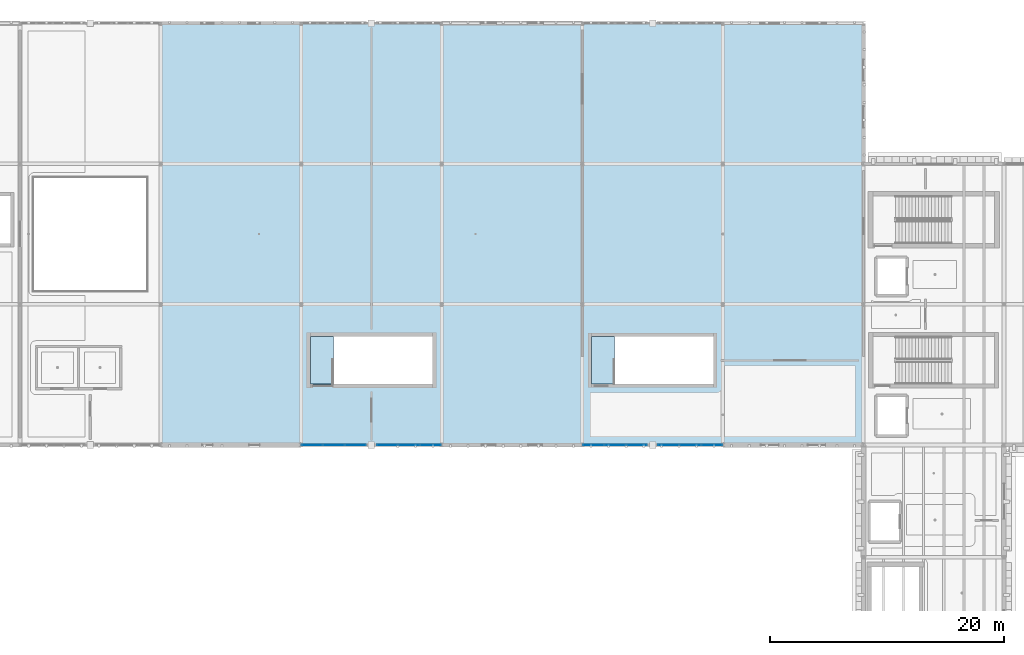
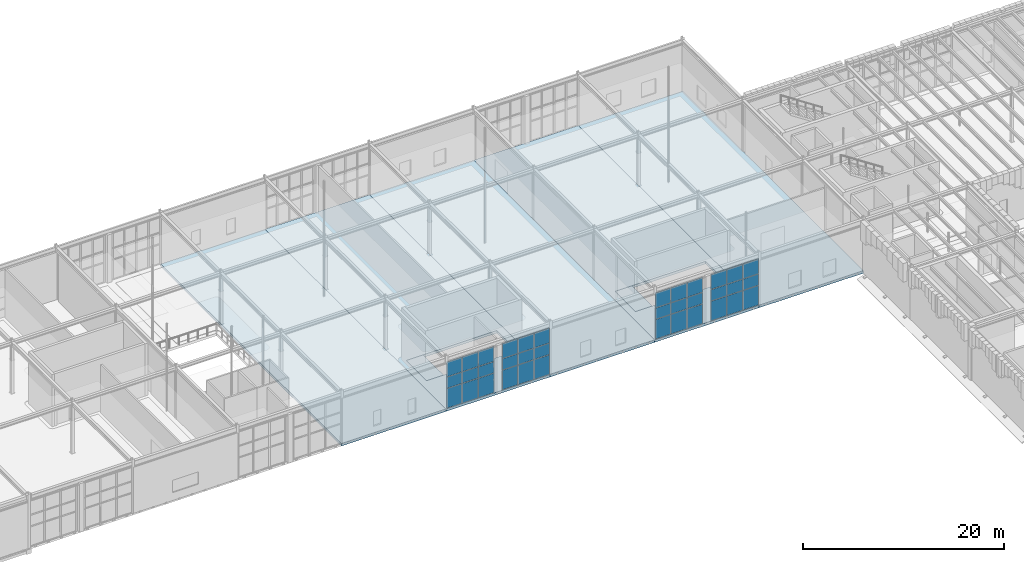
# One storey, part 33 of 62: 36 plates, 7 slabs, 4 elements without a shape of their own.
"""IFC4 building model written with IfcOpenShell, lengths in metres."""

import ifcopenshell
import ifcopenshell.guid

model = None  # the IFC model being written
_history = None  # IfcOwnerHistory: only IFC2X3 demands one
_inside = {}  # id of a spatial element -> (the spatial element, [elements in it])
_under = {}  # id of a project, library or spatial element -> (it, [spatial elements below it])
_declared = {}  # id of a project -> (the project, [libraries it declares])
_typed = {}  # id of a type object -> (the type object, [elements of that type])
_made_of = {}  # id of a material, layer set ... -> (it, [elements and type objects made of it])


def new_model(schema):
    """Start an empty IFC model of exactly this schema.

    Asked for "IFC4X3", IfcOpenShell would pick the latest addendum, in which some entities
    have other attributes; the version numbers below select the first issue.
    IFC2X3 requires an IfcOwnerHistory on every rooted entity: one is made here for all.
    """
    global model, _history
    if schema == "IFC4X3":
        model = ifcopenshell.file(schema_version=(4, 3, 0, 0))
    else:
        model = ifcopenshell.file(schema=schema)
    _inside.clear()
    _under.clear()
    _declared.clear()
    _typed.clear()
    _made_of.clear()
    _history = None
    if model.schema == "IFC2X3":
        org = make("IfcOrganization", Name="unknown")
        user = make(
            "IfcPersonAndOrganization",
            ThePerson=make("IfcPerson", FamilyName="unknown"),
            TheOrganization=org,
        )
        app = make(
            "IfcApplication",
            ApplicationDeveloper=org,
            Version="unknown",
            ApplicationFullName="unknown",
            ApplicationIdentifier="unknown",
        )
        _history = make(
            "IfcOwnerHistory",
            OwningUser=user,
            OwningApplication=app,
            ChangeAction="ADDED",
            CreationDate=0,
        )
    return model


def make(cls, **values):
    """One entity of the class cls with the attributes given. An attribute that is None is left unset."""
    return model.create_entity(
        cls, **{name: value for name, value in values.items() if value is not None}
    )


def rooted(cls, **values):
    """An entity with a GlobalId (a new one), such as an element, a storey or a relation."""
    return make(cls, GlobalId=ifcopenshell.guid.new(), OwnerHistory=_history, **values)


def si_unit(unit_type, name, prefix=None):
    """IfcSIUnit, for example si_unit("LENGTHUNIT", "METRE", prefix="MILLI")."""
    return make("IfcSIUnit", UnitType=unit_type, Prefix=prefix, Name=name)


def assignment(units):
    """IfcUnitAssignment: the units of a project."""
    return None if units is None else make("IfcUnitAssignment", Units=units)


def point(xyz):
    """IfcCartesianPoint."""
    return None if xyz is None else make("IfcCartesianPoint", Coordinates=xyz)


def direction(xyz):
    """IfcDirection."""
    return None if xyz is None else make("IfcDirection", DirectionRatios=xyz)


def frame(location, z_axis=None, x_axis=None):
    """IfcAxis2Placement3D, a coordinate frame: its origin and axes. An axis left out is left unset."""
    return make(
        "IfcAxis2Placement3D",
        Location=point(location),
        Axis=direction(z_axis),
        RefDirection=direction(x_axis),
    )


def frame_2d(location, x_axis=None):
    """IfcAxis2Placement2D, a coordinate frame in the plane: its origin and x axis."""
    return make(
        "IfcAxis2Placement2D", Location=point(location), RefDirection=direction(x_axis)
    )


def origin():
    """The frame at (0, 0, 0) with its axes left unset."""
    return frame((0.0, 0.0, 0.0))


def origin_2d():
    """The frame at (0, 0) in the plane with its x axis left unset."""
    return frame_2d((0.0, 0.0))


def place(relative_to, where):
    """IfcLocalPlacement: puts the frame where relative to a parent placement (None: the world)."""
    return make(
        "IfcLocalPlacement", PlacementRelTo=relative_to, RelativePlacement=where
    )


def context(
    kind, dimensions, precision=None, world=None, true_north=None, identifier=None
):
    """IfcGeometricRepresentationContext, for example the 3D "Model" context."""
    return make(
        "IfcGeometricRepresentationContext",
        ContextIdentifier=identifier,
        ContextType=kind,
        CoordinateSpaceDimension=dimensions,
        Precision=precision,
        WorldCoordinateSystem=world,
        TrueNorth=true_north,
    )


def subcontext(parent, identifier, kind, view, scale=None):
    """IfcGeometricRepresentationSubContext, for example "Body" below "Model"."""
    return make(
        "IfcGeometricRepresentationSubContext",
        ContextIdentifier=identifier,
        ContextType=kind,
        ParentContext=parent,
        TargetScale=scale,
        TargetView=view,
    )


def project(units=None, contexts=None):
    """IfcProject with its units and contexts."""
    return rooted(
        "IfcProject",
        Name="project",
        RepresentationContexts=contexts,
        UnitsInContext=assignment(units),
    )


def spatial(cls, under=None, at=None, **own):
    """A site, building, storey or space (cls), placed at a placement, below another one or the project."""
    s = rooted(cls, ObjectPlacement=at, **own)
    if under is not None:
        _under.setdefault(under.id(), (under, []))[1].append(s)
    return s


def polyline(points):
    """IfcPolyline through the points."""
    return make("IfcPolyline", Points=[point(p) for p in points])


def profile(cls, at=None, kind="AREA", **sizes):
    """A parametric profile (cls). Its sizes go by their IFC names, for example OverallWidth=200.0."""
    return make(cls, ProfileType=kind, Position=at, **sizes)


def rectangle(**sizes):
    """IfcRectangleProfileDef."""
    return profile("IfcRectangleProfileDef", **sizes)


def outline(outer, holes=None, kind="AREA"):
    """IfcArbitraryClosedProfileDef: a profile drawn as a closed curve; with holes, ...WithVoids."""
    if holes is None:
        return make("IfcArbitraryClosedProfileDef", ProfileType=kind, OuterCurve=outer)
    return make(
        "IfcArbitraryProfileDefWithVoids",
        ProfileType=kind,
        OuterCurve=outer,
        InnerCurves=holes,
    )


def extrude(swept, where, along, depth):
    """IfcExtrudedAreaSolid: the profile swept, set in the frame where, extruded along a direction by depth."""
    return make(
        "IfcExtrudedAreaSolid",
        SweptArea=swept,
        Position=where,
        ExtrudedDirection=direction(along),
        Depth=depth,
    )


def shape(context_of_items, identifier, shape_type, items):
    """IfcShapeRepresentation: the items that make up one representation, for example the "Body"."""
    return make(
        "IfcShapeRepresentation",
        ContextOfItems=context_of_items,
        RepresentationIdentifier=identifier,
        RepresentationType=shape_type,
        Items=items,
    )


def material(Name=None, Category=None):
    """IfcMaterial."""
    return make("IfcMaterial", Name=Name, Category=Category)


def layer(
    of_material, thickness, ventilated=None, Name=None, Category=None, Priority=None
):
    """IfcMaterialLayer: one layer of a wall or slab, of a material (None: an air gap)."""
    return make(
        "IfcMaterialLayer",
        Material=of_material,
        LayerThickness=thickness,
        IsVentilated=ventilated,
        Name=Name,
        Category=Category,
        Priority=Priority,
    )


def layer_set(layers, Name=None):
    """IfcMaterialLayerSet."""
    return make("IfcMaterialLayerSet", MaterialLayers=layers, LayerSetName=Name)


def made_of(thing, what):
    """Note that an element or type object is made of a material, layer set ...; save() writes the relation."""
    if what is not None:
        _made_of.setdefault(what.id(), (what, []))[1].append(thing)
    return thing


def type_object(cls, material=None, **own):
    """A type object (cls), such as IfcWallType, which elements share."""
    return made_of(rooted(cls, **own), material)


def element(
    cls,
    number,
    at=None,
    inside=None,
    cuts=None,
    type_object=None,
    material=None,
    context=None,
    identifier="Body",
    shape_type=None,
    held_by="IfcProductDefinitionShape",
    body=None,
    shapes=None,
    **own,
):
    """One element of the class cls, such as IfcWall. Its Tag is "e" and its number.

    at: its placement. inside: the storey or other place that contains it. cuts: it is an
    opening in that element (IfcRelVoidsElement). A single representation is given by context,
    identifier, shape_type and body (its items); several are given by shapes. held_by: the class
    of the entity that holds the representations. save() writes the other relations.
    """
    e = rooted(cls, Tag="e%d" % number, ObjectPlacement=at, **own)
    if body is not None:
        shapes = [shape(context, identifier, shape_type, body)]
    if shapes is not None:
        e.Representation = make(held_by, Representations=shapes)
    if inside is not None:
        _inside.setdefault(inside.id(), (inside, []))[1].append(e)
    if cuts is not None:
        rooted(
            "IfcRelVoidsElement", RelatingBuildingElement=cuts, RelatedOpeningElement=e
        )
    if type_object is not None:
        _typed.setdefault(type_object.id(), (type_object, []))[1].append(e)
    return made_of(e, material)


def aggregate(whole, parts):
    """IfcRelAggregates: a whole, such as a stair, and the parts it consists of."""
    return rooted("IfcRelAggregates", RelatingObject=whole, RelatedObjects=parts)


def save(model, path):
    """Write the relations noted so far, then the file.

    IfcRelAggregates (storeys below a building ...), IfcRelContainedInSpatialStructure (elements
    in a storey), IfcRelDefinesByType, IfcRelAssociatesMaterial and IfcRelDeclares: one each for
    every whole, place, type object, material and project.
    """
    for whole, parts in _under.values():
        aggregate(whole, parts)
    for where, things in _inside.values():
        rooted(
            "IfcRelContainedInSpatialStructure",
            RelatedElements=things,
            RelatingStructure=where,
        )
    for kind, things in _typed.values():
        rooted("IfcRelDefinesByType", RelatedObjects=things, RelatingType=kind)
    for what, things in _made_of.values():
        rooted("IfcRelAssociatesMaterial", RelatedObjects=things, RelatingMaterial=what)
    for by, libraries in _declared.values():
        rooted("IfcRelDeclares", RelatingContext=by, RelatedDefinitions=libraries)
    model.write(path)


model = new_model("IFC4")

# Units and contexts
model_context = context("Model", 3, precision=1e-05, world=origin(), true_north=direction((0.0, 1.0)))
body_context = subcontext(model_context, "Body", "Model", "MODEL_VIEW")
ifc_project = project(units=[si_unit("LENGTHUNIT", "METRE"), si_unit("AREAUNIT", "SQUARE_METRE"), si_unit("VOLUMEUNIT", "CUBIC_METRE"), si_unit("PLANEANGLEUNIT", "RADIAN"), si_unit("MASSUNIT", "GRAM", prefix="KILO")], contexts=[model_context])

# Site, building, storey
site_placement = place(None, origin())
site = spatial("IfcSite", under=ifc_project, at=site_placement, CompositionType="ELEMENT")
building_placement = place(site_placement, origin())
building = spatial("IfcBuilding", under=site, at=building_placement, Name="Zlatogorsky Bluff Art Gallery", CompositionType="ELEMENT")
storey_placement = place(building_placement, frame((0.0, 0.0, 16.800048828125)))
storey = spatial("IfcBuildingStorey", under=building, at=storey_placement, Name="L03", CompositionType="ELEMENT", Elevation=16.800048828125)

# Curtain wall, plates
ifc_material_1 = material(Name="Anodised Bronze Aluminium and Low-Iron Triple Glazing", Category="aluminium")
ifc_layer_1 = layer(ifc_material_1, 0.219970703125)
ifc_layer_set_1 = layer_set([ifc_layer_1], Name="Curtain Wall CW-04")
curtain_wall_type = type_object("IfcCurtainWallType", Name="Curtain Wall CW-04", PredefinedType="USERDEFINED", material=ifc_layer_set_1)
curtain_wall_1_placement = place(storey_placement, origin())
curtain_wall_1 = element("IfcCurtainWall", 1, at=curtain_wall_1_placement, inside=storey, type_object=curtain_wall_type, Name="Unitised curtain wall CW-04 L03 S 6.8-A", ObjectType="CURTAIN WALL", PredefinedType="USERDEFINED")
ifc_material_2 = material(Name="Low-Iron Laminated Triple Glazing", Category="glass")
ifc_layer_2 = layer(ifc_material_2, 0.035888671875)
ifc_layer_set_2 = layer_set([ifc_layer_2], Name="Glazed Curtain Panel CWP-01")
plate_type = type_object("IfcPlateType", Name="Glazed Curtain Panel CWP-01", PredefinedType="CURTAIN_PANEL", material=ifc_layer_set_2)
plate_1_placement = place(storey_placement, frame((72.9462890625, 84.0, 0.06494140625), z_axis=(0.0, 0.0, 1.0), x_axis=(1.0, 0.0, 0.0)))
plate_1 = element("IfcPlate", 2, at=plate_1_placement, type_object=plate_type, Name="CW-04 panel 1.1", PredefinedType="CURTAIN_PANEL", context=body_context, shape_type="SweptSolid", body=[
    extrude(rectangle(XDim=1.762451171875, YDim=0.035888671875, at=origin_2d()), origin(), (0.0, 0.0, 1.0), 2.3525390625),
])
plate_2_placement = place(storey_placement, frame((72.9462890625, 84.0, 2.482421875), z_axis=(0.0, 0.0, 1.0), x_axis=(1.0, 0.0, 0.0)))
plate_2 = element("IfcPlate", 3, at=plate_2_placement, type_object=plate_type, Name="CW-04 panel 1.2", PredefinedType="CURTAIN_PANEL", context=body_context, shape_type="SweptSolid", body=[
    extrude(rectangle(XDim=1.762451171875, YDim=0.035888671875, at=origin_2d()), origin(), (0.0, 0.0, 1.0), 1.3349609375),
])
plate_3_placement = place(storey_placement, frame((72.9462890625, 84.0, 3.88232421875), z_axis=(0.0, 0.0, 1.0), x_axis=(1.0, 0.0, 0.0)))
plate_3 = element("IfcPlate", 4, at=plate_3_placement, type_object=plate_type, Name="CW-04 panel 1.3", PredefinedType="CURTAIN_PANEL", context=body_context, shape_type="SweptSolid", body=[
    extrude(rectangle(XDim=1.762451171875, YDim=0.035888671875, at=origin_2d()), origin(), (0.0, 0.0, 1.0), 1.802490234375),
])
plate_4_placement = place(storey_placement, frame((74.7900390625, 84.0, 0.06494140625), z_axis=(0.0, 0.0, 1.0), x_axis=(1.0, 0.0, 0.0)))
plate_4 = element("IfcPlate", 5, at=plate_4_placement, type_object=plate_type, Name="CW-04 panel 2.1", PredefinedType="CURTAIN_PANEL", context=body_context, shape_type="SweptSolid", body=[
    extrude(rectangle(XDim=1.794921875, YDim=0.035888671875, at=origin_2d()), origin(), (0.0, 0.0, 1.0), 2.3525390625),
])
plate_5_placement = place(storey_placement, frame((74.7900390625, 84.0, 2.482421875), z_axis=(0.0, 0.0, 1.0), x_axis=(1.0, 0.0, 0.0)))
plate_5 = element("IfcPlate", 6, at=plate_5_placement, type_object=plate_type, Name="CW-04 panel 2.2", PredefinedType="CURTAIN_PANEL", context=body_context, shape_type="SweptSolid", body=[
    extrude(rectangle(XDim=1.794921875, YDim=0.035888671875, at=origin_2d()), origin(), (0.0, 0.0, 1.0), 1.3349609375),
])
plate_6_placement = place(storey_placement, frame((74.7900390625, 84.0, 3.88232421875), z_axis=(0.0, 0.0, 1.0), x_axis=(1.0, 0.0, 0.0)))
plate_6 = element("IfcPlate", 7, at=plate_6_placement, type_object=plate_type, Name="CW-04 panel 2.3", PredefinedType="CURTAIN_PANEL", context=body_context, shape_type="SweptSolid", body=[
    extrude(rectangle(XDim=1.794921875, YDim=0.035888671875, at=origin_2d()), origin(), (0.0, 0.0, 1.0), 1.802490234375),
])
plate_7_placement = place(storey_placement, frame((76.6337890625, 84.0, 0.06494140625), z_axis=(0.0, 0.0, 1.0), x_axis=(1.0, 0.0, 0.0)))
plate_7 = element("IfcPlate", 8, at=plate_7_placement, type_object=plate_type, Name="CW-04 panel 3.1", PredefinedType="CURTAIN_PANEL", context=body_context, shape_type="SweptSolid", body=[
    extrude(rectangle(XDim=1.762451171875, YDim=0.035888671875, at=origin_2d()), origin(), (0.0, 0.0, 1.0), 2.3525390625),
])
plate_8_placement = place(storey_placement, frame((76.6337890625, 84.0, 2.482421875), z_axis=(0.0, 0.0, 1.0), x_axis=(1.0, 0.0, 0.0)))
plate_8 = element("IfcPlate", 9, at=plate_8_placement, type_object=plate_type, Name="CW-04 panel 3.2", PredefinedType="CURTAIN_PANEL", context=body_context, shape_type="SweptSolid", body=[
    extrude(rectangle(XDim=1.762451171875, YDim=0.035888671875, at=origin_2d()), origin(), (0.0, 0.0, 1.0), 1.3349609375),
])
plate_9_placement = place(storey_placement, frame((76.6337890625, 84.0, 3.88232421875), z_axis=(0.0, 0.0, 1.0), x_axis=(1.0, 0.0, 0.0)))
plate_9 = element("IfcPlate", 10, at=plate_9_placement, type_object=plate_type, Name="CW-04 panel 3.3", PredefinedType="CURTAIN_PANEL", context=body_context, shape_type="SweptSolid", body=[
    extrude(rectangle(XDim=1.762451171875, YDim=0.035888671875, at=origin_2d()), origin(), (0.0, 0.0, 1.0), 1.802490234375),
])
aggregate(curtain_wall_1, [plate_1, plate_2, plate_3, plate_4, plate_5, plate_6, plate_7, plate_8, plate_9])

curtain_wall_2_placement = place(storey_placement, origin())
curtain_wall_2 = element("IfcCurtainWall", 11, at=curtain_wall_2_placement, inside=storey, type_object=curtain_wall_type, Name="Unitised curtain wall CW-04 L03 S 6.8-B", ObjectType="CURTAIN WALL", PredefinedType="USERDEFINED")
plate_10_placement = place(storey_placement, frame((79.3662109375, 84.0, 0.06494140625), z_axis=(0.0, 0.0, 1.0), x_axis=(1.0, 0.0, 0.0)))
plate_10 = element("IfcPlate", 12, at=plate_10_placement, type_object=plate_type, Name="CW-04 panel 1.1", PredefinedType="CURTAIN_PANEL", context=body_context, shape_type="SweptSolid", body=[
    extrude(rectangle(XDim=1.762451171875, YDim=0.035888671875, at=origin_2d()), origin(), (0.0, 0.0, 1.0), 2.3525390625),
])
plate_11_placement = place(storey_placement, frame((79.3662109375, 84.0, 2.482421875), z_axis=(0.0, 0.0, 1.0), x_axis=(1.0, 0.0, 0.0)))
plate_11 = element("IfcPlate", 13, at=plate_11_placement, type_object=plate_type, Name="CW-04 panel 1.2", PredefinedType="CURTAIN_PANEL", context=body_context, shape_type="SweptSolid", body=[
    extrude(rectangle(XDim=1.762451171875, YDim=0.035888671875, at=origin_2d()), origin(), (0.0, 0.0, 1.0), 1.3349609375),
])
plate_12_placement = place(storey_placement, frame((79.3662109375, 84.0, 3.88232421875), z_axis=(0.0, 0.0, 1.0), x_axis=(1.0, 0.0, 0.0)))
plate_12 = element("IfcPlate", 14, at=plate_12_placement, type_object=plate_type, Name="CW-04 panel 1.3", PredefinedType="CURTAIN_PANEL", context=body_context, shape_type="SweptSolid", body=[
    extrude(rectangle(XDim=1.762451171875, YDim=0.035888671875, at=origin_2d()), origin(), (0.0, 0.0, 1.0), 1.802490234375),
])
plate_13_placement = place(storey_placement, frame((81.2099609375, 84.0, 0.06494140625), z_axis=(0.0, 0.0, 1.0), x_axis=(1.0, 0.0, 0.0)))
plate_13 = element("IfcPlate", 15, at=plate_13_placement, type_object=plate_type, Name="CW-04 panel 2.1", PredefinedType="CURTAIN_PANEL", context=body_context, shape_type="SweptSolid", body=[
    extrude(rectangle(XDim=1.794921875, YDim=0.035888671875, at=origin_2d()), origin(), (0.0, 0.0, 1.0), 2.3525390625),
])
plate_14_placement = place(storey_placement, frame((81.2099609375, 84.0, 2.482421875), z_axis=(0.0, 0.0, 1.0), x_axis=(1.0, 0.0, 0.0)))
plate_14 = element("IfcPlate", 16, at=plate_14_placement, type_object=plate_type, Name="CW-04 panel 2.2", PredefinedType="CURTAIN_PANEL", context=body_context, shape_type="SweptSolid", body=[
    extrude(rectangle(XDim=1.794921875, YDim=0.035888671875, at=origin_2d()), origin(), (0.0, 0.0, 1.0), 1.3349609375),
])
plate_15_placement = place(storey_placement, frame((81.2099609375, 84.0, 3.88232421875), z_axis=(0.0, 0.0, 1.0), x_axis=(1.0, 0.0, 0.0)))
plate_15 = element("IfcPlate", 17, at=plate_15_placement, type_object=plate_type, Name="CW-04 panel 2.3", PredefinedType="CURTAIN_PANEL", context=body_context, shape_type="SweptSolid", body=[
    extrude(rectangle(XDim=1.794921875, YDim=0.035888671875, at=origin_2d()), origin(), (0.0, 0.0, 1.0), 1.802490234375),
])
plate_16_placement = place(storey_placement, frame((83.0537109375, 84.0, 0.06494140625), z_axis=(0.0, 0.0, 1.0), x_axis=(1.0, 0.0, 0.0)))
plate_16 = element("IfcPlate", 18, at=plate_16_placement, type_object=plate_type, Name="CW-04 panel 3.1", PredefinedType="CURTAIN_PANEL", context=body_context, shape_type="SweptSolid", body=[
    extrude(rectangle(XDim=1.762451171875, YDim=0.035888671875, at=origin_2d()), origin(), (0.0, 0.0, 1.0), 2.3525390625),
])
plate_17_placement = place(storey_placement, frame((83.0537109375, 84.0, 2.482421875), z_axis=(0.0, 0.0, 1.0), x_axis=(1.0, 0.0, 0.0)))
plate_17 = element("IfcPlate", 19, at=plate_17_placement, type_object=plate_type, Name="CW-04 panel 3.2", PredefinedType="CURTAIN_PANEL", context=body_context, shape_type="SweptSolid", body=[
    extrude(rectangle(XDim=1.762451171875, YDim=0.035888671875, at=origin_2d()), origin(), (0.0, 0.0, 1.0), 1.3349609375),
])
plate_18_placement = place(storey_placement, frame((83.0537109375, 84.0, 3.88232421875), z_axis=(0.0, 0.0, 1.0), x_axis=(1.0, 0.0, 0.0)))
plate_18 = element("IfcPlate", 20, at=plate_18_placement, type_object=plate_type, Name="CW-04 panel 3.3", PredefinedType="CURTAIN_PANEL", context=body_context, shape_type="SweptSolid", body=[
    extrude(rectangle(XDim=1.762451171875, YDim=0.035888671875, at=origin_2d()), origin(), (0.0, 0.0, 1.0), 1.802490234375),
])
aggregate(curtain_wall_2, [plate_10, plate_11, plate_12, plate_13, plate_14, plate_15, plate_16, plate_17, plate_18])

curtain_wall_3_placement = place(storey_placement, origin())
curtain_wall_3 = element("IfcCurtainWall", 21, at=curtain_wall_3_placement, inside=storey, type_object=curtain_wall_type, Name="Unitised curtain wall CW-04 L03 S 8.8-A", ObjectType="CURTAIN WALL", PredefinedType="USERDEFINED")
plate_19_placement = place(storey_placement, frame((96.9462890625, 84.0, 0.06494140625), z_axis=(0.0, 0.0, 1.0), x_axis=(1.0, 0.0, 0.0)))
plate_19 = element("IfcPlate", 22, at=plate_19_placement, type_object=plate_type, Name="CW-04 panel 1.1", PredefinedType="CURTAIN_PANEL", context=body_context, shape_type="SweptSolid", body=[
    extrude(rectangle(XDim=1.762451171875, YDim=0.035888671875, at=origin_2d()), origin(), (0.0, 0.0, 1.0), 2.3525390625),
])
plate_20_placement = place(storey_placement, frame((96.9462890625, 84.0, 2.482421875), z_axis=(0.0, 0.0, 1.0), x_axis=(1.0, 0.0, 0.0)))
plate_20 = element("IfcPlate", 23, at=plate_20_placement, type_object=plate_type, Name="CW-04 panel 1.2", PredefinedType="CURTAIN_PANEL", context=body_context, shape_type="SweptSolid", body=[
    extrude(rectangle(XDim=1.762451171875, YDim=0.035888671875, at=origin_2d()), origin(), (0.0, 0.0, 1.0), 1.3349609375),
])
plate_21_placement = place(storey_placement, frame((96.9462890625, 84.0, 3.88232421875), z_axis=(0.0, 0.0, 1.0), x_axis=(1.0, 0.0, 0.0)))
plate_21 = element("IfcPlate", 24, at=plate_21_placement, type_object=plate_type, Name="CW-04 panel 1.3", PredefinedType="CURTAIN_PANEL", context=body_context, shape_type="SweptSolid", body=[
    extrude(rectangle(XDim=1.762451171875, YDim=0.035888671875, at=origin_2d()), origin(), (0.0, 0.0, 1.0), 1.802490234375),
])
plate_22_placement = place(storey_placement, frame((98.7900390625, 84.0, 0.06494140625), z_axis=(0.0, 0.0, 1.0), x_axis=(1.0, 0.0, 0.0)))
plate_22 = element("IfcPlate", 25, at=plate_22_placement, type_object=plate_type, Name="CW-04 panel 2.1", PredefinedType="CURTAIN_PANEL", context=body_context, shape_type="SweptSolid", body=[
    extrude(rectangle(XDim=1.794921875, YDim=0.035888671875, at=origin_2d()), origin(), (0.0, 0.0, 1.0), 2.3525390625),
])
plate_23_placement = place(storey_placement, frame((98.7900390625, 84.0, 2.482421875), z_axis=(0.0, 0.0, 1.0), x_axis=(1.0, 0.0, 0.0)))
plate_23 = element("IfcPlate", 26, at=plate_23_placement, type_object=plate_type, Name="CW-04 panel 2.2", PredefinedType="CURTAIN_PANEL", context=body_context, shape_type="SweptSolid", body=[
    extrude(rectangle(XDim=1.794921875, YDim=0.035888671875, at=origin_2d()), origin(), (0.0, 0.0, 1.0), 1.3349609375),
])
plate_24_placement = place(storey_placement, frame((98.7900390625, 84.0, 3.88232421875), z_axis=(0.0, 0.0, 1.0), x_axis=(1.0, 0.0, 0.0)))
plate_24 = element("IfcPlate", 27, at=plate_24_placement, type_object=plate_type, Name="CW-04 panel 2.3", PredefinedType="CURTAIN_PANEL", context=body_context, shape_type="SweptSolid", body=[
    extrude(rectangle(XDim=1.794921875, YDim=0.035888671875, at=origin_2d()), origin(), (0.0, 0.0, 1.0), 1.802490234375),
])
plate_25_placement = place(storey_placement, frame((100.6337890625, 84.0, 0.06494140625), z_axis=(0.0, 0.0, 1.0), x_axis=(1.0, 0.0, 0.0)))
plate_25 = element("IfcPlate", 28, at=plate_25_placement, type_object=plate_type, Name="CW-04 panel 3.1", PredefinedType="CURTAIN_PANEL", context=body_context, shape_type="SweptSolid", body=[
    extrude(rectangle(XDim=1.762451171875, YDim=0.035888671875, at=origin_2d()), origin(), (0.0, 0.0, 1.0), 2.3525390625),
])
plate_26_placement = place(storey_placement, frame((100.6337890625, 84.0, 2.482421875), z_axis=(0.0, 0.0, 1.0), x_axis=(1.0, 0.0, 0.0)))
plate_26 = element("IfcPlate", 29, at=plate_26_placement, type_object=plate_type, Name="CW-04 panel 3.2", PredefinedType="CURTAIN_PANEL", context=body_context, shape_type="SweptSolid", body=[
    extrude(rectangle(XDim=1.762451171875, YDim=0.035888671875, at=origin_2d()), origin(), (0.0, 0.0, 1.0), 1.3349609375),
])
plate_27_placement = place(storey_placement, frame((100.6337890625, 84.0, 3.88232421875), z_axis=(0.0, 0.0, 1.0), x_axis=(1.0, 0.0, 0.0)))
plate_27 = element("IfcPlate", 30, at=plate_27_placement, type_object=plate_type, Name="CW-04 panel 3.3", PredefinedType="CURTAIN_PANEL", context=body_context, shape_type="SweptSolid", body=[
    extrude(rectangle(XDim=1.762451171875, YDim=0.035888671875, at=origin_2d()), origin(), (0.0, 0.0, 1.0), 1.802490234375),
])
aggregate(curtain_wall_3, [plate_19, plate_20, plate_21, plate_22, plate_23, plate_24, plate_25, plate_26, plate_27])

curtain_wall_4_placement = place(storey_placement, origin())
curtain_wall_4 = element("IfcCurtainWall", 31, at=curtain_wall_4_placement, inside=storey, type_object=curtain_wall_type, Name="Unitised curtain wall CW-04 L03 S 8.8-B", ObjectType="CURTAIN WALL", PredefinedType="USERDEFINED")
plate_28_placement = place(storey_placement, frame((103.3662109375, 84.0, 0.06494140625), z_axis=(0.0, 0.0, 1.0), x_axis=(1.0, 0.0, 0.0)))
plate_28 = element("IfcPlate", 32, at=plate_28_placement, type_object=plate_type, Name="CW-04 panel 1.1", PredefinedType="CURTAIN_PANEL", context=body_context, shape_type="SweptSolid", body=[
    extrude(rectangle(XDim=1.762451171875, YDim=0.035888671875, at=origin_2d()), origin(), (0.0, 0.0, 1.0), 2.3525390625),
])
plate_29_placement = place(storey_placement, frame((103.3662109375, 84.0, 2.482421875), z_axis=(0.0, 0.0, 1.0), x_axis=(1.0, 0.0, 0.0)))
plate_29 = element("IfcPlate", 33, at=plate_29_placement, type_object=plate_type, Name="CW-04 panel 1.2", PredefinedType="CURTAIN_PANEL", context=body_context, shape_type="SweptSolid", body=[
    extrude(rectangle(XDim=1.762451171875, YDim=0.035888671875, at=origin_2d()), origin(), (0.0, 0.0, 1.0), 1.3349609375),
])
plate_30_placement = place(storey_placement, frame((103.3662109375, 84.0, 3.88232421875), z_axis=(0.0, 0.0, 1.0), x_axis=(1.0, 0.0, 0.0)))
plate_30 = element("IfcPlate", 34, at=plate_30_placement, type_object=plate_type, Name="CW-04 panel 1.3", PredefinedType="CURTAIN_PANEL", context=body_context, shape_type="SweptSolid", body=[
    extrude(rectangle(XDim=1.762451171875, YDim=0.035888671875, at=origin_2d()), origin(), (0.0, 0.0, 1.0), 1.802490234375),
])
plate_31_placement = place(storey_placement, frame((105.2099609375, 84.0, 0.06494140625), z_axis=(0.0, 0.0, 1.0), x_axis=(1.0, 0.0, 0.0)))
plate_31 = element("IfcPlate", 35, at=plate_31_placement, type_object=plate_type, Name="CW-04 panel 2.1", PredefinedType="CURTAIN_PANEL", context=body_context, shape_type="SweptSolid", body=[
    extrude(rectangle(XDim=1.794921875, YDim=0.035888671875, at=origin_2d()), origin(), (0.0, 0.0, 1.0), 2.3525390625),
])
plate_32_placement = place(storey_placement, frame((105.2099609375, 84.0, 2.482421875), z_axis=(0.0, 0.0, 1.0), x_axis=(1.0, 0.0, 0.0)))
plate_32 = element("IfcPlate", 36, at=plate_32_placement, type_object=plate_type, Name="CW-04 panel 2.2", PredefinedType="CURTAIN_PANEL", context=body_context, shape_type="SweptSolid", body=[
    extrude(rectangle(XDim=1.794921875, YDim=0.035888671875, at=origin_2d()), origin(), (0.0, 0.0, 1.0), 1.3349609375),
])
plate_33_placement = place(storey_placement, frame((105.2099609375, 84.0, 3.88232421875), z_axis=(0.0, 0.0, 1.0), x_axis=(1.0, 0.0, 0.0)))
plate_33 = element("IfcPlate", 37, at=plate_33_placement, type_object=plate_type, Name="CW-04 panel 2.3", PredefinedType="CURTAIN_PANEL", context=body_context, shape_type="SweptSolid", body=[
    extrude(rectangle(XDim=1.794921875, YDim=0.035888671875, at=origin_2d()), origin(), (0.0, 0.0, 1.0), 1.802490234375),
])
plate_34_placement = place(storey_placement, frame((107.0537109375, 84.0, 0.06494140625), z_axis=(0.0, 0.0, 1.0), x_axis=(1.0, 0.0, 0.0)))
plate_34 = element("IfcPlate", 38, at=plate_34_placement, type_object=plate_type, Name="CW-04 panel 3.1", PredefinedType="CURTAIN_PANEL", context=body_context, shape_type="SweptSolid", body=[
    extrude(rectangle(XDim=1.762451171875, YDim=0.035888671875, at=origin_2d()), origin(), (0.0, 0.0, 1.0), 2.3525390625),
])
plate_35_placement = place(storey_placement, frame((107.0537109375, 84.0, 2.482421875), z_axis=(0.0, 0.0, 1.0), x_axis=(1.0, 0.0, 0.0)))
plate_35 = element("IfcPlate", 39, at=plate_35_placement, type_object=plate_type, Name="CW-04 panel 3.2", PredefinedType="CURTAIN_PANEL", context=body_context, shape_type="SweptSolid", body=[
    extrude(rectangle(XDim=1.762451171875, YDim=0.035888671875, at=origin_2d()), origin(), (0.0, 0.0, 1.0), 1.3349609375),
])
plate_36_placement = place(storey_placement, frame((107.0537109375, 84.0, 3.88232421875), z_axis=(0.0, 0.0, 1.0), x_axis=(1.0, 0.0, 0.0)))
plate_36 = element("IfcPlate", 40, at=plate_36_placement, type_object=plate_type, Name="CW-04 panel 3.3", PredefinedType="CURTAIN_PANEL", context=body_context, shape_type="SweptSolid", body=[
    extrude(rectangle(XDim=1.762451171875, YDim=0.035888671875, at=origin_2d()), origin(), (0.0, 0.0, 1.0), 1.802490234375),
])
aggregate(curtain_wall_4, [plate_28, plate_29, plate_30, plate_31, plate_32, plate_33, plate_34, plate_35, plate_36])

# Slabs
ifc_material_3 = material(Name="Concrete C30/37", Category="concrete")
ifc_layer_3 = layer(ifc_material_3, 0.31005859375)
ifc_layer_set_3 = layer_set([ifc_layer_3], Name="Slab SL-03 310mm")
slab_type = type_object("IfcSlabType", Name="Slab SL-03 310mm", PredefinedType="FLOOR", material=ifc_layer_set_3)
slab_1_placement = place(storey_placement, frame((0.0, 0.0, -0.31005859375)))
element("IfcSlab", 41, at=slab_1_placement, inside=storey, type_object=slab_type, Name="L03 structural floor slab panel 06", PredefinedType="FLOOR", context=body_context, shape_type="SweptSolid", body=[
    extrude(outline(polyline([(60.0, 84.0), (60.0, 96.0), (60.0, 108.0), (60.0, 120.0), (72.0, 120.0), (72.0, 108.0), (72.0, 96.0), (72.0, 84.0), (60.0, 84.0)])), origin(), (0.0, 0.0, 1.0), 0.31005859375),
])
slab_2_placement = place(storey_placement, frame((0.0, 0.0, -0.31005859375)))
element("IfcSlab", 42, at=slab_2_placement, inside=storey, type_object=slab_type, Name="L03 structural floor slab panel 07", PredefinedType="FLOOR", context=body_context, shape_type="SweptSolid", body=[
    extrude(outline(polyline([(72.0, 84.0), (72.0, 96.0), (72.0, 108.0), (72.0, 120.0), (84.0, 120.0), (84.0, 108.0), (84.0, 96.0), (84.0, 84.0), (72.0, 84.0)]), holes=[polyline([(83.199951171875, 89.199951171875), (83.199951171875, 93.25), (72.800048828125, 93.25), (72.800048828125, 89.199951171875), (83.199951171875, 89.199951171875)])]), origin(), (0.0, 0.0, 1.0), 0.31005859375),
])
slab_3_placement = place(storey_placement, frame((0.0, 0.0, -0.31005859375)))
element("IfcSlab", 43, at=slab_3_placement, inside=storey, type_object=slab_type, Name="L03 structural floor slab panel 08", PredefinedType="FLOOR", context=body_context, shape_type="SweptSolid", body=[
    extrude(outline(polyline([(84.0, 84.0), (84.0, 96.0), (84.0, 108.0), (84.0, 120.0), (96.0, 120.0), (96.0, 108.0), (96.0, 96.0), (96.0, 84.0), (84.0, 84.0)])), origin(), (0.0, 0.0, 1.0), 0.31005859375),
])
slab_4_placement = place(storey_placement, frame((0.0, 0.0, -0.31005859375)))
element("IfcSlab", 44, at=slab_4_placement, inside=storey, type_object=slab_type, Name="L03 structural floor slab panel 09", PredefinedType="FLOOR", context=body_context, shape_type="SweptSolid", body=[
    extrude(outline(polyline([(96.0, 84.0), (96.0, 96.0), (96.0, 108.0), (96.0, 120.0), (108.0, 120.0), (108.0, 108.0), (108.0, 96.0), (108.0, 84.0), (96.0, 84.0)]), holes=[polyline([(107.199951171875, 89.199951171875), (107.199951171875, 93.25), (96.800048828125, 93.25), (96.800048828125, 89.199951171875), (107.199951171875, 89.199951171875)])]), origin(), (0.0, 0.0, 1.0), 0.31005859375),
])
slab_5_placement = place(storey_placement, frame((0.0, 0.0, -0.31005859375)))
element("IfcSlab", 45, at=slab_5_placement, inside=storey, type_object=slab_type, Name="L03 structural floor slab panel 10", PredefinedType="FLOOR", context=body_context, shape_type="SweptSolid", body=[
    extrude(outline(polyline([(108.0, 84.0), (108.0, 96.0), (108.0, 108.0), (108.0, 120.0), (120.0, 120.0), (120.0, 108.0), (120.0, 96.0), (120.0, 84.0), (108.0, 84.0)])), origin(), (0.0, 0.0, 1.0), 0.31005859375),
])
slab_6_placement = place(storey_placement, frame((0.0, 0.0, -0.31005859375)))
element("IfcSlab", 46, at=slab_6_placement, inside=storey, type_object=slab_type, Name="L03 stair ST-01 structural floor landing slab", PredefinedType="FLOOR", context=body_context, shape_type="SweptSolid", body=[
    extrude(outline(polyline([(96.800048828125, 89.199951171875), (98.75, 89.199951171875), (98.75, 93.25), (96.800048828125, 93.25), (96.800048828125, 89.199951171875)])), origin(), (0.0, 0.0, 1.0), 0.31005859375),
])
slab_7_placement = place(storey_placement, frame((0.0, 0.0, -0.31005859375)))
element("IfcSlab", 47, at=slab_7_placement, inside=storey, type_object=slab_type, Name="L03 stair ST-08 structural floor landing slab", PredefinedType="FLOOR", context=body_context, shape_type="SweptSolid", body=[
    extrude(outline(polyline([(72.800048828125, 89.199951171875), (74.75, 89.199951171875), (74.75, 93.25), (72.800048828125, 93.25), (72.800048828125, 89.199951171875)])), origin(), (0.0, 0.0, 1.0), 0.31005859375),
])

save(model, "model.ifc")
